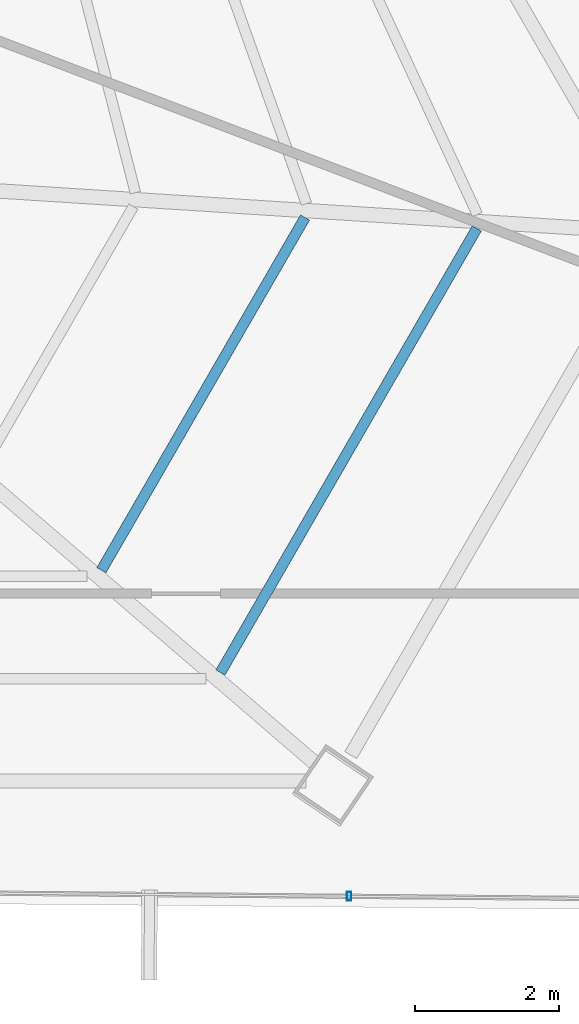
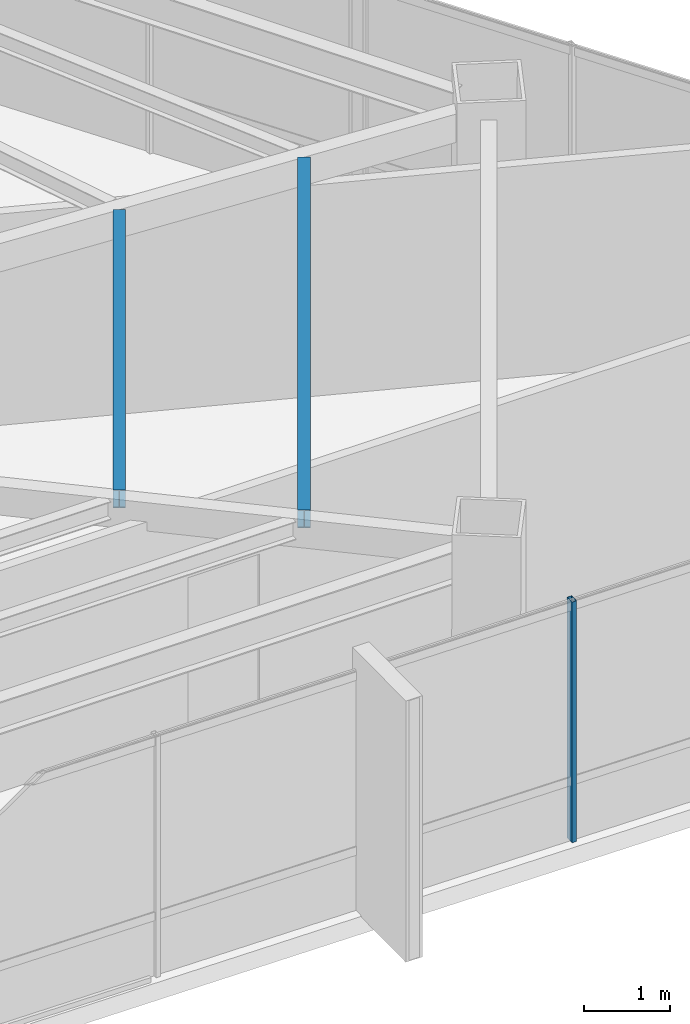
# One storey, part 24 of 47: 2 beams, 1 member, 1 element without a shape of its own.
"""IFC4 building model written with IfcOpenShell, lengths in metres."""

from ifc_helpers import new_model, si_unit, direction, frame, origin, origin_2d, place, context, subcontext, project, spatial, hollow_rectangle, i_section, extrude, source, transform, mapped, material, material_profile, profile_set, type_object, type_shapes, element, aggregate, save


model = new_model("IFC4")

# Units and contexts
model_context = context("Model", 3, precision=1e-05, world=origin(), true_north=direction((0.0, 1.0)))
body_context = subcontext(model_context, "Body", "Model", "MODEL_VIEW")
ifc_project = project(units=[si_unit("LENGTHUNIT", "METRE"), si_unit("AREAUNIT", "SQUARE_METRE"), si_unit("VOLUMEUNIT", "CUBIC_METRE"), si_unit("PLANEANGLEUNIT", "RADIAN"), si_unit("MASSUNIT", "GRAM", prefix="KILO")], contexts=[model_context])

# Site, building, storey
site_placement = place(None, origin())
site = spatial("IfcSite", under=ifc_project, at=site_placement, CompositionType="ELEMENT")
building_placement = place(site_placement, origin())
building = spatial("IfcBuilding", under=site, at=building_placement, Name="Caelisora Broadcast Tower", CompositionType="ELEMENT")
storey_placement = place(building_placement, frame((0.0, 0.0, 229.85009765625)))
storey = spatial("IfcBuildingStorey", under=building, at=storey_placement, Name="L60", CompositionType="ELEMENT", Elevation=229.85009765625)

# Beams
ifc_material_1 = material(Name="Steel Grade 350 (AS/NZS 3679.1)", Category="steel")
ifc_material_profile_1 = material_profile(ifc_material_1, i_section(OverallWidth=0.14599609375, OverallDepth=0.256103515625, WebThickness=0.00634765625, FlangeThickness=0.010986328125, at=origin_2d()), Name="Steel Grade 350 (AS/NZS 3679.1)")
ifc_profile_set_1 = profile_set([ifc_material_profile_1], Name="Steel Grade 350 (AS/NZS 3679.1)")
beam_type = type_object("IfcBeamType", Name="SB04", PredefinedType="JOIST", material=ifc_profile_set_1)
shared_shape_1 = source(origin(), body_context, "Body", "SweptSolid", [
    extrude(i_section(OverallWidth=0.14599609375, OverallDepth=0.256103515625, WebThickness=0.00634765625, FlangeThickness=0.010986328125, at=origin_2d()), origin(), (0.0, 0.0, 1.0), 5.64990234375),
])
beam_1_placement = place(storey_placement, frame((52.153076171875, 11.804443359375, 3.271728515625), z_axis=(0.499991765245, 0.86603015807, 0.0), x_axis=(-0.86603015807, 0.499991765245, 0.0)))
element("IfcBeam", 1, at=beam_1_placement, inside=storey, type_object=beam_type, Name="L60 beam SB04", PredefinedType="JOIST", context=body_context, shape_type="MappedRepresentation", body=[
    mapped(shared_shape_1, transform((0.0, 0.0, 0.0), scale=1.0)),
])
shared_shape_2 = source(origin(), body_context, "Body", "SweptSolid", [
    extrude(i_section(OverallWidth=0.14599609375, OverallDepth=0.256103515625, WebThickness=0.00634765625, FlangeThickness=0.010986328125, at=origin_2d()), origin(), (0.0, 0.0, 1.0), 7.114501953125),
])
type_shapes(beam_type, [shared_shape_1, shared_shape_2])
beam_2_placement = place(storey_placement, frame((53.803955078125, 10.384033203125, 3.271728515625), z_axis=(0.499984847409, 0.86603415196, 0.0), x_axis=(-0.86603415196, 0.499984847409, 0.0)))
element("IfcBeam", 2, at=beam_2_placement, inside=storey, type_object=beam_type, Name="L60 beam SB04", PredefinedType="JOIST", context=body_context, shape_type="MappedRepresentation", body=[
    mapped(shared_shape_2, transform((0.0, 0.0, 0.0), scale=1.0)),
])

# Curtain wall, member
ifc_material_2 = material(Name="Unitised Aluminium and Low-E Glass Curtain Wall", Category="glass")
curtain_wall_type = type_object("IfcCurtainWallType", Name="CW-Z5", PredefinedType="NOTDEFINED", material=ifc_material_2)
curtain_wall_placement = place(storey_placement, origin())
curtain_wall = element("IfcCurtainWall", 3, at=curtain_wall_placement, inside=storey, type_object=curtain_wall_type, Name="L60 curtain wall CW-Z5", PredefinedType="NOTDEFINED")
ifc_material_3 = material(Name="Aluminium 6063-T6 Anodised Terracotta Bronze", Category="aluminium")
ifc_material_profile_2 = material_profile(ifc_material_3, hollow_rectangle(XDim=0.06005859375, YDim=0.1201171875, WallThickness=0.0029296875, at=origin_2d()), Name="Aluminium 6063-T6 Anodised Terracotta Bronze")
ifc_profile_set_2 = profile_set([ifc_material_profile_2], Name="Aluminium 6063-T6 Anodised Terracotta Bronze")
member_type = type_object("IfcMemberType", Name="CWM-04", PredefinedType="MULLION", material=ifc_profile_set_2)
shared_shape_3 = source(origin(), body_context, "Body", "SweptSolid", [
    extrude(hollow_rectangle(XDim=0.06005859375, YDim=0.1201171875, WallThickness=0.0029296875, at=origin_2d()), origin(), (0.0, 0.0, 1.0), 3.39990234375),
])
type_shapes(member_type, [shared_shape_3])
member_placement = place(storey_placement, frame((55.58984375, 7.279052734375, 0.0), z_axis=(0.0, 0.0, 1.0), x_axis=(1.0, 0.0, 0.0)))
member = element("IfcMember", 4, at=member_placement, type_object=member_type, Name="L60-CW-B05 mullion #1", PredefinedType="MULLION", context=body_context, shape_type="MappedRepresentation", body=[
    mapped(shared_shape_3, transform((0.0, 0.0, 0.0), scale=1.0)),
])
aggregate(curtain_wall, [member])

save(model, "model.ifc")
